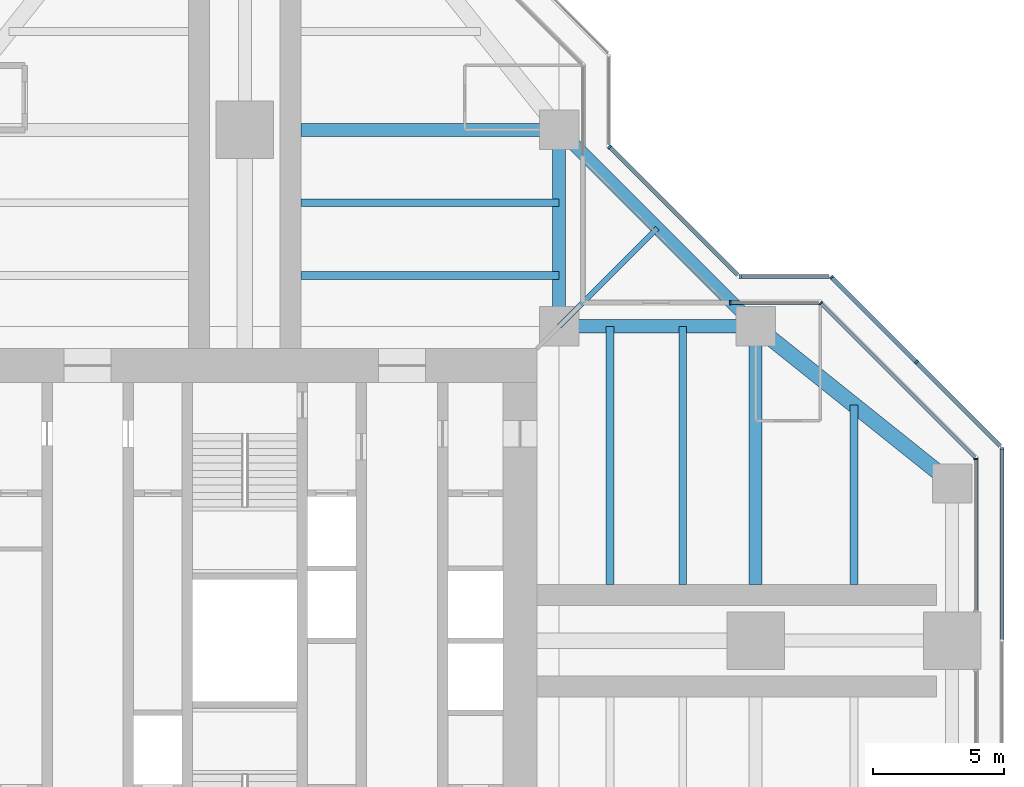
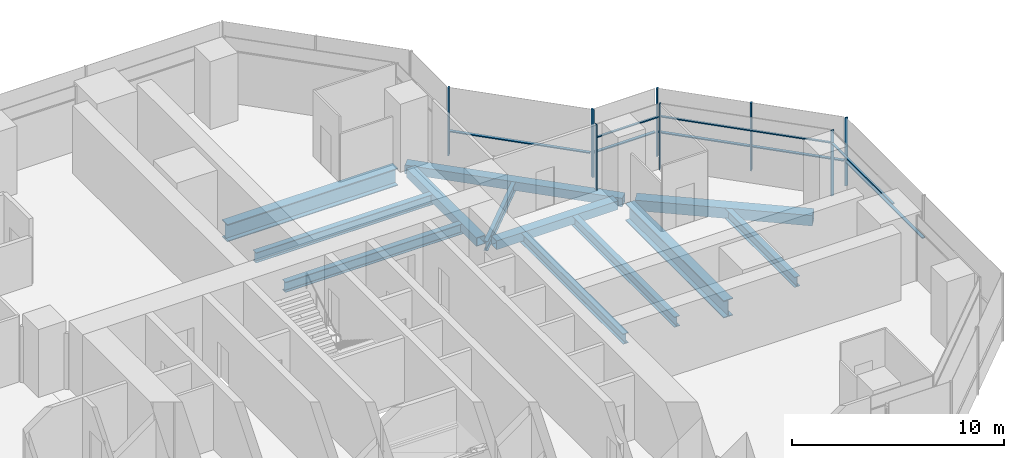
# One storey, part 8 of 17: 16 members, 12 beams, 7 elements without a shape of their own.
"""IFC4 building model written with IfcOpenShell, lengths in metres."""

from ifc_helpers import new_model, si_unit, direction, frame, origin, origin_2d, place, context, subcontext, project, spatial, rectangle, hollow_rectangle, i_section, extrude, material, material_profile, profile_set, type_object, element, aggregate, save


model = new_model("IFC4")

# Units and contexts
model_context = context("Model", 3, precision=1e-05, world=origin(), true_north=direction((0.0, 1.0)))
body_context = subcontext(model_context, "Body", "Model", "MODEL_VIEW")
ifc_project = project(units=[si_unit("LENGTHUNIT", "METRE"), si_unit("AREAUNIT", "SQUARE_METRE"), si_unit("VOLUMEUNIT", "CUBIC_METRE"), si_unit("PLANEANGLEUNIT", "RADIAN"), si_unit("MASSUNIT", "GRAM", prefix="KILO")], contexts=[model_context])

# Site, building, storey
site_placement = place(None, origin())
site = spatial("IfcSite", under=ifc_project, at=site_placement, CompositionType="ELEMENT")
building_placement = place(site_placement, origin())
building = spatial("IfcBuilding", under=site, at=building_placement, Name="Mizan Broadcast Tower", CompositionType="ELEMENT")
storey_placement = place(building_placement, frame((0.0, 0.0, 251.699951171875)))
storey = spatial("IfcBuildingStorey", under=building, at=storey_placement, Name="L59", CompositionType="ELEMENT", Elevation=251.699951171875)

# Beams
ifc_material_1 = material(Name="Steel S355", Category="steel")
ifc_material_profile_1 = material_profile(ifc_material_1, hollow_rectangle(XDim=0.5, YDim=0.5, WallThickness=0.030029296875, at=origin_2d()), Name="BOX 500x500x30")
ifc_profile_set_1 = profile_set([ifc_material_profile_1], Name="Steel S355")
beam_type_1 = type_object("IfcBeamType", Name="EDGE BEAM BOX 500x500x30", PredefinedType="SPANDREL", material=ifc_profile_set_1)
for number, where, z_axis, x_axis, name in (
    (1, (12.449951171875, 12.0, -0.3798828125), (1.0, 0.0, 0.0), (0.0, 1.0, 0.0), "Edge beam BOX 500x500x30 L59 east arm"),
    (2, (12.0, 12.449951171875, -0.3798828125), (0.0, 1.0, 0.0), (-1.0, 0.0, 0.0), "Edge beam BOX 500x500x30 L59 north arm"),
):
    element("IfcBeam", number, at=place(storey_placement, frame(where, z_axis=z_axis, x_axis=x_axis)), inside=storey, type_object=beam_type_1, Name=name, PredefinedType="SPANDREL", context=body_context, shape_type="SweptSolid", body=[
        extrude(hollow_rectangle(XDim=0.5, YDim=0.5, WallThickness=0.030029296875, at=origin_2d()), origin(), (0.0, 0.0, 1.0), 6.60009765625),
    ])
beam_1_placement = place(storey_placement, frame((19.5, 12.0, -0.3798828125), z_axis=(-0.707106781187, 0.707106781187, 0.0), x_axis=(-0.707106781187, -0.707106781187, 0.0)))
element("IfcBeam", 3, at=beam_1_placement, inside=storey, type_object=beam_type_1, Name="Winter garden edge beam L59 E", PredefinedType="SPANDREL", context=body_context, shape_type="SweptSolid", body=[
    extrude(hollow_rectangle(XDim=0.5, YDim=0.5, WallThickness=0.030029296875, at=origin_2d()), origin(), (0.0, 0.0, 1.0), 10.606689453125),
])
ifc_material_2 = material(Name="Steel S355", Category="steel")
ifc_material_profile_2 = material_profile(ifc_material_2, hollow_rectangle(XDim=0.60009765625, YDim=0.60009765625, WallThickness=0.030029296875, at=origin_2d()), Name="BOX 600x600x30")
ifc_profile_set_2 = profile_set([ifc_material_profile_2], Name="Steel S355")
beam_type_2 = type_object("IfcBeamType", Name="EDGE BEAM BOX 600x600x30", PredefinedType="SPANDREL", material=ifc_profile_set_2)
beam_2_placement = place(storey_placement, frame((19.949951171875, 11.639892578125, -0.429931640625), z_axis=(0.780885717636, -0.624673911726, 0.0), x_axis=(0.624673911726, 0.780885717636, 0.0)))
element("IfcBeam", 4, at=beam_2_placement, inside=storey, type_object=beam_type_2, Name="Edge beam BOX 600x600x30 L59 east arm", PredefinedType="SPANDREL", context=body_context, shape_type="SweptSolid", body=[
    extrude(hollow_rectangle(XDim=0.60009765625, YDim=0.60009765625, WallThickness=0.030029296875, at=origin_2d()), origin(), (0.0, 0.0, 1.0), 8.4521484375),
])
ifc_material_3 = material(Name="Steel S460", Category="steel")
ifc_material_profile_3 = material_profile(ifc_material_3, i_section(OverallWidth=0.5, OverallDepth=1.0, WebThickness=0.02490234375, FlangeThickness=0.050048828125, at=origin_2d()), Name="WPG 1000x500")
ifc_profile_set_3 = profile_set([ifc_material_profile_3], Name="Steel S460")
beam_type_3 = type_object("IfcBeamType", Name="GIRDER WPG 1000x500", PredefinedType="BEAM", material=ifc_profile_set_3)
for number, where, z_axis, x_axis, name in (
    (5, (19.5, 11.408935546875, -0.6298828125), (0.0, -1.0, 0.0), (1.0, 0.0, 0.0), "Girder WPG 1000x500 L59 east arm"),
    (6, (11.408935546875, 19.5, -0.6298828125), (-1.0, 0.0, 0.0), (0.0, -1.0, 0.0), "Girder WPG 1000x500 L59 north arm"),
):
    element("IfcBeam", number, at=place(storey_placement, frame(where, z_axis=z_axis, x_axis=x_axis)), inside=storey, type_object=beam_type_3, Name=name, PredefinedType="BEAM", context=body_context, shape_type="SweptSolid", body=[
        extrude(i_section(OverallWidth=0.5, OverallDepth=1.0, WebThickness=0.02490234375, FlangeThickness=0.050048828125, at=origin_2d()), origin(), (0.0, 0.0, 1.0), 9.259033203125),
    ])

# Curtain wall, member
ifc_material_4 = material(Name="Aluminium framed glazing", Category="aluminium")
curtain_wall_type_1 = type_object("IfcCurtainWallType", Name="INNER SKIN HIGH ZONE", PredefinedType="USERDEFINED", material=ifc_material_4)
curtain_wall_1_placement = place(storey_placement, origin())
curtain_wall_1 = element("IfcCurtainWall", 7, at=curtain_wall_1_placement, inside=storey, type_object=curtain_wall_type_1, Name="Inner skin high zone L59 E end", ObjectType="INNER SKIN HIGH ZONE", PredefinedType="USERDEFINED")
ifc_material_5 = material(Name="Aluminium, pale anodised", Category="aluminium")
ifc_material_profile_4 = material_profile(ifc_material_5, rectangle(XDim=0.159912109375, YDim=0.06005859375, at=origin_2d()), Name="MULLION 160x60")
ifc_profile_set_4 = profile_set([ifc_material_profile_4], Name="Aluminium, pale anodised")
member_type_1 = type_object("IfcMemberType", Name="INNER SKIN MULLION 60x160", PredefinedType="MULLION", material=ifc_profile_set_4)
member_1_placement = place(storey_placement, frame((27.89990234375, 6.928466796875, 0.0), z_axis=(0.0, 0.0, 1.0), x_axis=(-1.0, 0.0, 0.0)))
member_1 = element("IfcMember", 8, at=member_1_placement, type_object=member_type_1, Name="Inner skin high zone L59 E end mullion 2", PredefinedType="MULLION", context=body_context, shape_type="SweptSolid", body=[
    extrude(rectangle(XDim=0.159912109375, YDim=0.06005859375, at=origin_2d()), origin(), (0.0, 0.0, 1.0), 3.77001953125),
])

curtain_wall_2_placement = place(storey_placement, origin())
curtain_wall_2 = element("IfcCurtainWall", 9, at=curtain_wall_2_placement, inside=storey, type_object=curtain_wall_type_1, Name="Inner skin high zone L59 E chamfer", ObjectType="INNER SKIN HIGH ZONE", PredefinedType="USERDEFINED")
member_2_placement = place(storey_placement, frame((21.979736328125, 12.87890625, 0.0), z_axis=(0.0, 0.0, 1.0), x_axis=(-0.707106781187, -0.707106781187, 0.0)))
member_2 = element("IfcMember", 10, at=member_2_placement, type_object=member_type_1, Name="Inner skin high zone L59 E chamfer mullion 2", PredefinedType="MULLION", context=body_context, shape_type="SweptSolid", body=[
    extrude(rectangle(XDim=0.159912109375, YDim=0.06005859375, at=origin_2d()), origin(), (0.0, 0.0, 1.0), 3.77001953125),
])

curtain_wall_3_placement = place(storey_placement, origin())
curtain_wall_3 = element("IfcCurtainWall", 11, at=curtain_wall_3_placement, inside=storey, type_object=curtain_wall_type_1, Name="Inner skin high zone L59 E side", ObjectType="INNER SKIN HIGH ZONE", PredefinedType="USERDEFINED")
member_3_placement = place(storey_placement, frame((18.530029296875, 12.89990234375, 0.0), z_axis=(0.0, 0.0, 1.0), x_axis=(0.0, -1.0, 0.0)))
member_3 = element("IfcMember", 12, at=member_3_placement, type_object=member_type_1, Name="Inner skin high zone L59 E side mullion 2", PredefinedType="MULLION", context=body_context, shape_type="SweptSolid", body=[
    extrude(rectangle(XDim=0.159912109375, YDim=0.06005859375, at=origin_2d()), origin(), (0.0, 0.0, 1.0), 3.77001953125),
])

# Member
ifc_material_6 = material(Name="Aluminium, pale anodised", Category="aluminium")
ifc_material_profile_5 = material_profile(ifc_material_6, rectangle(XDim=0.1201171875, YDim=0.06005859375, at=origin_2d()), Name="TRANSOM 120x60")
ifc_profile_set_5 = profile_set([ifc_material_profile_5], Name="Aluminium, pale anodised")
member_type_2 = type_object("IfcMemberType", Name="INNER SKIN TRANSOM 60x120", PredefinedType="USERDEFINED", material=ifc_profile_set_5)
member_4_placement = place(storey_placement, frame((27.89990234375, 1.159912109375, 3.030029296875), z_axis=(0.0, 1.0, 0.0), x_axis=(-1.0, 0.0, 0.0)))
member_4 = element("IfcMember", 13, at=member_4_placement, type_object=member_type_2, Name="Inner skin high zone L59 E end transom 1.1", ObjectType="TRANSOM", PredefinedType="USERDEFINED", context=body_context, shape_type="SweptSolid", body=[
    extrude(rectangle(XDim=0.1201171875, YDim=0.06005859375, at=origin_2d()), origin(), (0.0, 0.0, 1.0), 5.73876953125),
])

aggregate(curtain_wall_1, [member_1, member_4])

member_5_placement = place(storey_placement, frame((27.857666015625, 7.0009765625, 3.030029296875), z_axis=(-0.707106781187, 0.707106781187, 0.0), x_axis=(-0.707106781187, -0.707106781187, 0.0)))
member_5 = element("IfcMember", 14, at=member_5_placement, type_object=member_type_2, Name="Inner skin high zone L59 E chamfer transom 1.1", ObjectType="TRANSOM", PredefinedType="USERDEFINED", context=body_context, shape_type="SweptSolid", body=[
    extrude(rectangle(XDim=0.1201171875, YDim=0.06005859375, at=origin_2d()), origin(), (0.0, 0.0, 1.0), 8.28271484375),
])

aggregate(curtain_wall_2, [member_2, member_5])

member_6_placement = place(storey_placement, frame((21.898681640625, 12.89990234375, 3.030029296875), z_axis=(-1.0, 0.0, 0.0), x_axis=(0.0, -1.0, 0.0)))
member_6 = element("IfcMember", 15, at=member_6_placement, type_object=member_type_2, Name="Inner skin high zone L59 E side transom 1.1", ObjectType="TRANSOM", PredefinedType="USERDEFINED", context=body_context, shape_type="SweptSolid", body=[
    extrude(rectangle(XDim=0.1201171875, YDim=0.06005859375, at=origin_2d()), origin(), (0.0, 0.0, 1.0), 3.338623046875),
])

aggregate(curtain_wall_3, [member_3, member_6])

# Curtain wall, member
ifc_material_7 = material(Name="Aluminium framed glazing", Category="aluminium")
curtain_wall_type_2 = type_object("IfcCurtainWallType", Name="OUTER SKIN", PredefinedType="USERDEFINED", material=ifc_material_7)
curtain_wall_4_placement = place(storey_placement, origin())
curtain_wall_4 = element("IfcCurtainWall", 16, at=curtain_wall_4_placement, inside=storey, type_object=curtain_wall_type_2, Name="Outer skin L59 E end", ObjectType="OUTER SKIN", PredefinedType="USERDEFINED")
ifc_material_8 = material(Name="Aluminium, pale anodised", Category="aluminium")
ifc_material_profile_6 = material_profile(ifc_material_8, rectangle(XDim=0.159912109375, YDim=0.080078125, at=origin_2d()), Name="MULLION 160x80")
ifc_profile_set_6 = profile_set([ifc_material_profile_6], Name="Aluminium, pale anodised")
member_type_3 = type_object("IfcMemberType", Name="OUTER SKIN MULLION 80x160", PredefinedType="MULLION", material=ifc_profile_set_6)
member_7_placement = place(storey_placement, frame((28.89990234375, 7.332763671875, 0.0), z_axis=(0.0, 0.0, 1.0), x_axis=(-1.0, 0.0, 0.0)))
member_7 = element("IfcMember", 17, at=member_7_placement, type_object=member_type_3, Name="Outer skin L59 E end mullion 3", PredefinedType="MULLION", context=body_context, shape_type="SweptSolid", body=[
    extrude(rectangle(XDim=0.159912109375, YDim=0.080078125, at=origin_2d()), origin(), (0.0, 0.0, 1.0), 3.900146484375),
])

# Curtain wall, members
curtain_wall_5_placement = place(storey_placement, origin())
curtain_wall_5 = element("IfcCurtainWall", 18, at=curtain_wall_5_placement, inside=storey, type_object=curtain_wall_type_2, Name="Outer skin L59 E chamfer", ObjectType="OUTER SKIN", PredefinedType="USERDEFINED")
member_8_placement = place(storey_placement, frame((25.636474609375, 10.636474609375, 0.0), z_axis=(0.0, 0.0, 1.0), x_axis=(-0.707106781187, -0.707106781187, 0.0)))
member_8 = element("IfcMember", 19, at=member_8_placement, type_object=member_type_3, Name="Outer skin L59 E chamfer mullion 2", PredefinedType="MULLION", context=body_context, shape_type="SweptSolid", body=[
    extrude(rectangle(XDim=0.159912109375, YDim=0.080078125, at=origin_2d()), origin(), (0.0, 0.0, 1.0), 3.900146484375),
])
member_9_placement = place(storey_placement, frame((22.401123046875, 13.871826171875, 0.0), z_axis=(0.0, 0.0, 1.0), x_axis=(-0.707106781187, -0.707106781187, 0.0)))
member_9 = element("IfcMember", 20, at=member_9_placement, type_object=member_type_3, Name="Outer skin L59 E chamfer mullion 3", PredefinedType="MULLION", context=body_context, shape_type="SweptSolid", body=[
    extrude(rectangle(XDim=0.159912109375, YDim=0.080078125, at=origin_2d()), origin(), (0.0, 0.0, 1.0), 3.900146484375),
])

# Curtain wall, member
curtain_wall_6_placement = place(storey_placement, origin())
curtain_wall_6 = element("IfcCurtainWall", 21, at=curtain_wall_6_placement, inside=storey, type_object=curtain_wall_type_2, Name="Outer skin L59 E side", ObjectType="OUTER SKIN", PredefinedType="USERDEFINED")
member_10_placement = place(storey_placement, frame((18.912841796875, 13.89990234375, 0.0), z_axis=(0.0, 0.0, 1.0), x_axis=(0.0, -1.0, 0.0)))
member_10 = element("IfcMember", 22, at=member_10_placement, type_object=member_type_3, Name="Outer skin L59 E side mullion 2", PredefinedType="MULLION", context=body_context, shape_type="SweptSolid", body=[
    extrude(rectangle(XDim=0.159912109375, YDim=0.080078125, at=origin_2d()), origin(), (0.0, 0.0, 1.0), 3.900146484375),
])

curtain_wall_7_placement = place(storey_placement, origin())
curtain_wall_7 = element("IfcCurtainWall", 23, at=curtain_wall_7_placement, inside=storey, type_object=curtain_wall_type_2, Name="Outer skin L59 E chamfer", ObjectType="OUTER SKIN", PredefinedType="USERDEFINED")
member_11_placement = place(storey_placement, frame((13.92822265625, 18.844482421875, 0.0), z_axis=(0.0, 0.0, 1.0), x_axis=(-0.707106781187, -0.707106781187, 0.0)))
member_11 = element("IfcMember", 24, at=member_11_placement, type_object=member_type_3, Name="Outer skin L59 E chamfer mullion 2", PredefinedType="MULLION", context=body_context, shape_type="SweptSolid", body=[
    extrude(rectangle(XDim=0.159912109375, YDim=0.080078125, at=origin_2d()), origin(), (0.0, 0.0, 1.0), 3.900146484375),
])

# Member
ifc_material_9 = material(Name="Aluminium, pale anodised", Category="aluminium")
ifc_material_profile_7 = material_profile(ifc_material_9, rectangle(XDim=0.159912109375, YDim=0.06005859375, at=origin_2d()), Name="TRANSOM 160x60")
ifc_profile_set_7 = profile_set([ifc_material_profile_7], Name="Aluminium, pale anodised")
member_type_4 = type_object("IfcMemberType", Name="OUTER SKIN TRANSOM 60x160", PredefinedType="USERDEFINED", material=ifc_profile_set_7)
member_12_placement = place(storey_placement, frame((28.89990234375, 0.0400390625, 1.400146484375), z_axis=(0.0, 1.0, 0.0), x_axis=(-1.0, 0.0, 0.0)))
member_12 = element("IfcMember", 25, at=member_12_placement, type_object=member_type_4, Name="Outer skin L59 E end transom 2.1", ObjectType="TRANSOM", PredefinedType="USERDEFINED", context=body_context, shape_type="SweptSolid", body=[
    extrude(rectangle(XDim=0.159912109375, YDim=0.06005859375, at=origin_2d()), origin(), (0.0, 0.0, 1.0), 7.252685546875),
])

aggregate(curtain_wall_4, [member_7, member_12])

member_13_placement = place(storey_placement, frame((28.843505859375, 7.429443359375, 1.400146484375), z_axis=(-0.707106781187, 0.707106781187, 0.0), x_axis=(-0.707106781187, -0.707106781187, 0.0)))
member_13 = element("IfcMember", 26, at=member_13_placement, type_object=member_type_4, Name="Outer skin L59 E chamfer transom 1.1", ObjectType="TRANSOM", PredefinedType="USERDEFINED", context=body_context, shape_type="SweptSolid", body=[
    extrude(rectangle(XDim=0.159912109375, YDim=0.06005859375, at=origin_2d()), origin(), (0.0, 0.0, 1.0), 4.495361328125),
])

member_14_placement = place(storey_placement, frame((25.608154296875, 10.664794921875, 1.400146484375), z_axis=(-0.707106781187, 0.707106781187, 0.0), x_axis=(-0.707106781187, -0.707106781187, 0.0)))
member_14 = element("IfcMember", 27, at=member_14_placement, type_object=member_type_4, Name="Outer skin L59 E chamfer transom 2.1", ObjectType="TRANSOM", PredefinedType="USERDEFINED", context=body_context, shape_type="SweptSolid", body=[
    extrude(rectangle(XDim=0.159912109375, YDim=0.06005859375, at=origin_2d()), origin(), (0.0, 0.0, 1.0), 4.495361328125),
])

aggregate(curtain_wall_5, [member_8, member_9, member_13, member_14])

member_15_placement = place(storey_placement, frame((22.292724609375, 13.89990234375, 1.400146484375), z_axis=(-1.0, 0.0, 0.0), x_axis=(0.0, -1.0, 0.0)))
member_15 = element("IfcMember", 28, at=member_15_placement, type_object=member_type_4, Name="Outer skin L59 E side transom 1.1", ObjectType="TRANSOM", PredefinedType="USERDEFINED", context=body_context, shape_type="SweptSolid", body=[
    extrude(rectangle(XDim=0.159912109375, YDim=0.06005859375, at=origin_2d()), origin(), (0.0, 0.0, 1.0), 3.33984375),
])

aggregate(curtain_wall_6, [member_10, member_15])

member_16_placement = place(storey_placement, frame((18.816162109375, 13.95654296875, 1.400146484375), z_axis=(-0.707106781187, 0.707106781187, 0.0), x_axis=(-0.707106781187, -0.707106781187, 0.0)))
member_16 = element("IfcMember", 29, at=member_16_placement, type_object=member_type_4, Name="Outer skin L59 E chamfer transom 1.1", ObjectType="TRANSOM", PredefinedType="USERDEFINED", context=body_context, shape_type="SweptSolid", body=[
    extrude(rectangle(XDim=0.159912109375, YDim=0.06005859375, at=origin_2d()), origin(), (0.0, 0.0, 1.0), 6.87255859375),
])

aggregate(curtain_wall_7, [member_11, member_16])

# Beams
ifc_material_10 = material(Name="Steel S355", Category="steel")
ifc_material_profile_8 = material_profile(ifc_material_10, i_section(OverallWidth=0.300048828125, OverallDepth=0.590087890625, WebThickness=0.012939453125, FlangeThickness=0.02490234375, FilletRadius=0.027099609375, at=origin_2d()), Name="HEA 600")
ifc_profile_set_8 = profile_set([ifc_material_profile_8], Name="Steel S355")
beam_type_4 = type_object("IfcBeamType", Name="SECONDARY BEAM HEA 600", PredefinedType="JOIST", material=ifc_profile_set_8)
for number, where, z_axis, x_axis, name in (
    (30, (13.933349609375, 12.0, -0.425048828125), (0.0, -1.0, 0.0), (1.0, 0.0, 0.0), "Secondary beam HEA 600 L59 east arm"),
    (31, (16.716552734375, 12.0, -0.425048828125), (0.0, -1.0, 0.0), (1.0, 0.0, 0.0), "Secondary beam HEA 600 L59 east arm"),
):
    element("IfcBeam", number, at=place(storey_placement, frame(where, z_axis=z_axis, x_axis=x_axis)), inside=storey, type_object=beam_type_4, Name=name, PredefinedType="JOIST", context=body_context, shape_type="SweptSolid", body=[
        extrude(i_section(OverallWidth=0.300048828125, OverallDepth=0.590087890625, WebThickness=0.012939453125, FlangeThickness=0.02490234375, FilletRadius=0.027099609375, at=origin_2d()), origin(), (0.0, 0.0, 1.0), 9.85009765625),
    ])
beam_3_placement = place(storey_placement, frame((23.25, 9.0, -0.425048828125), z_axis=(0.0, -1.0, 0.0), x_axis=(1.0, 0.0, 0.0)))
element("IfcBeam", 32, at=beam_3_placement, inside=storey, type_object=beam_type_4, Name="Secondary beam HEA 600 L59 east arm", PredefinedType="JOIST", context=body_context, shape_type="SweptSolid", body=[
    extrude(i_section(OverallWidth=0.300048828125, OverallDepth=0.590087890625, WebThickness=0.012939453125, FlangeThickness=0.02490234375, FilletRadius=0.027099609375, at=origin_2d()), origin(), (0.0, 0.0, 1.0), 6.85009765625),
])
for number, where, z_axis, x_axis, name in (
    (33, (12.0, 13.933349609375, -0.425048828125), (-1.0, 0.0, 0.0), (0.0, -1.0, 0.0), "Secondary beam HEA 600 L59 north arm"),
    (34, (12.0, 16.716552734375, -0.425048828125), (-1.0, 0.0, 0.0), (0.0, -1.0, 0.0), "Secondary beam HEA 600 L59 north arm"),
):
    element("IfcBeam", number, at=place(storey_placement, frame(where, z_axis=z_axis, x_axis=x_axis)), inside=storey, type_object=beam_type_4, Name=name, PredefinedType="JOIST", context=body_context, shape_type="SweptSolid", body=[
        extrude(i_section(OverallWidth=0.300048828125, OverallDepth=0.590087890625, WebThickness=0.012939453125, FlangeThickness=0.02490234375, FilletRadius=0.027099609375, at=origin_2d()), origin(), (0.0, 0.0, 1.0), 9.85009765625),
    ])
ifc_material_11 = material(Name="Steel S355", Category="steel")
ifc_material_profile_9 = material_profile(ifc_material_11, i_section(OverallWidth=0.2099609375, OverallDepth=0.550048828125, WebThickness=0.010986328125, FlangeThickness=0.01708984375, FilletRadius=0.02392578125, at=origin_2d()), Name="IPE 550")
ifc_profile_set_9 = profile_set([ifc_material_profile_9], Name="Steel S355")
beam_type_5 = type_object("IfcBeamType", Name="SECONDARY BEAM IPE 550", PredefinedType="JOIST", material=ifc_profile_set_9)
beam_4_placement = place(storey_placement, frame((12.0, 12.0, -0.405029296875), z_axis=(0.707106781187, 0.707106781187, 0.0), x_axis=(-0.707106781187, 0.707106781187, 0.0)))
element("IfcBeam", 35, at=beam_4_placement, inside=storey, type_object=beam_type_5, Name="Winter garden beam L59 E", PredefinedType="JOIST", context=body_context, shape_type="SweptSolid", body=[
    extrude(i_section(OverallWidth=0.2099609375, OverallDepth=0.550048828125, WebThickness=0.010986328125, FlangeThickness=0.01708984375, FilletRadius=0.02392578125, at=origin_2d()), origin(), (0.0, 0.0, 1.0), 5.30322265625),
])

save(model, "model.ifc")
